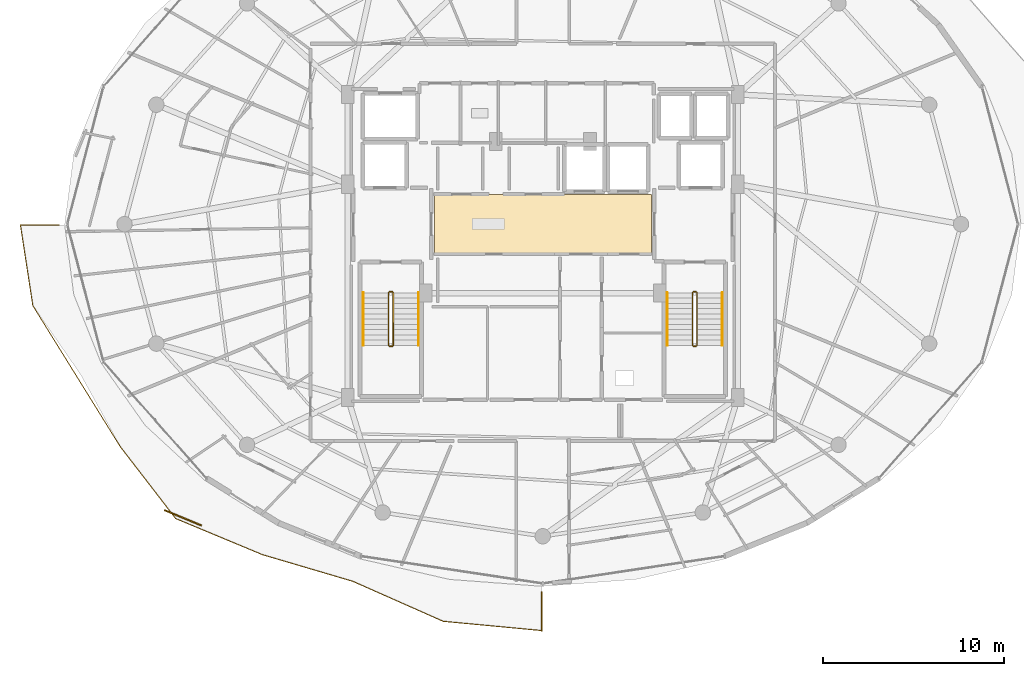
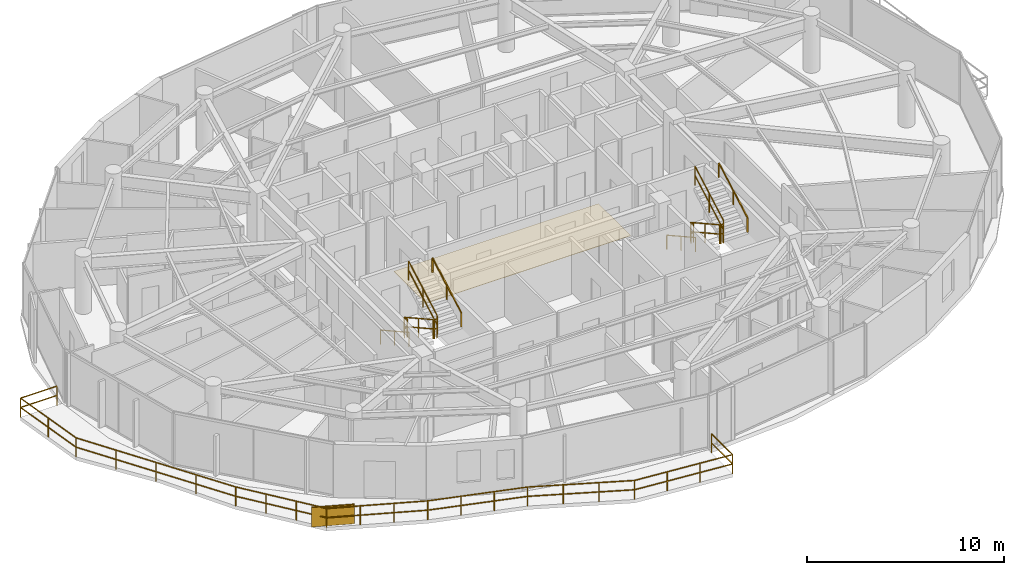
# One storey, part 29 of 31: 14 railings, 1 covering, 1 shading device.
"""IFC4 building model written with IfcOpenShell, lengths in metres."""

from ifc_helpers import new_model, si_unit, direction, frame, origin, origin_2d, place, context, subcontext, project, spatial, polyline, rectangle, outline, extrude, material, layer, layer_set, type_object, element, save


model = new_model("IFC4")

# Units and contexts
model_context = context("Model", 3, precision=1e-05, world=origin(), true_north=direction((0.0, 1.0)))
body_context = subcontext(model_context, "Body", "Model", "MODEL_VIEW")
ifc_project = project(units=[si_unit("LENGTHUNIT", "METRE"), si_unit("AREAUNIT", "SQUARE_METRE"), si_unit("VOLUMEUNIT", "CUBIC_METRE"), si_unit("PLANEANGLEUNIT", "RADIAN"), si_unit("MASSUNIT", "GRAM", prefix="KILO")], contexts=[model_context])

# Site, building, storey
site_placement = place(None, origin())
site = spatial("IfcSite", under=ifc_project, at=site_placement, CompositionType="ELEMENT")
building_placement = place(site_placement, origin())
building = spatial("IfcBuilding", under=site, at=building_placement, Name="Vorneva Point Tower", CompositionType="ELEMENT")
storey_placement = place(building_placement, frame((0.0, 0.0, 248.449951171875)))
storey = spatial("IfcBuildingStorey", under=building, at=storey_placement, Name="L67", CompositionType="ELEMENT", Elevation=248.449951171875)

# Covering
ifc_material_1 = material(Name="Acoustic wool hospitality carpet", Category="textile")
ifc_layer = layer(ifc_material_1, 0.01806640625)
ifc_layer_set = layer_set([ifc_layer], Name="Acoustic wool hospitality carpet")
covering_type = type_object("IfcCoveringType", Name="COV-FLR-CRP", PredefinedType="FLOORING", material=ifc_layer_set)
covering_placement = place(storey_placement, frame((0.0, 0.0, -0.0048828125)))
element("IfcCovering", 1, at=covering_placement, inside=storey, type_object=covering_type, Name="L67 Lift Lobby Floor Finish", PredefinedType="FLOORING", context=body_context, shape_type="SweptSolid", body=[
    extrude(outline(polyline([(32.02001953125, 24.3701171875), (43.97998046875, 24.3701171875), (43.97998046875, 27.6298828125), (32.02001953125, 27.6298828125), (32.02001953125, 24.3701171875)])), origin(), (0.0, 0.0, 1.0), 0.02294921875),
])

# Railings
ifc_material_2 = material(Name="Pale anodised aluminium", Category="aluminium")
railing_type_1 = type_object("IfcRailingType", Name="RL-BAL-1200", PredefinedType="BALUSTRADE", material=ifc_material_2)
railing_1_placement = place(storey_placement, frame((37.949951171875, 3.599609375, 0.0)))
element("IfcRailing", 2, at=railing_1_placement, inside=storey, type_object=railing_type_1, Name="L67 Wave Balcony Balustrade SW.1", PredefinedType="BALUSTRADE", context=body_context, shape_type="SweptSolid", body=[
    extrude(rectangle(XDim=0.048095703125, YDim=0.048095703125, at=origin_2d()), frame((0.0, 0.0, 1.17578125), z_axis=(0.0, 1.0, 0.0), x_axis=(-1.0, 0.0, 0.0)), (0.0, 0.0, 1.0), 2.123291015625),
    extrude(rectangle(XDim=0.048095703125, YDim=0.048095703125, at=origin_2d()), frame((0.0, 0.0, 0.60009765625), z_axis=(0.0, 1.0, 0.0), x_axis=(-1.0, 0.0, 0.0)), (0.0, 0.0, 1.0), 2.123291015625),
    extrude(rectangle(XDim=0.0419921875, YDim=0.0419921875, at=origin_2d()), origin(), (0.0, 0.0, 1.0), 1.15185546875),
    extrude(rectangle(XDim=0.0419921875, YDim=0.0419921875, at=origin_2d()), frame((0.0, 2.123291015625, 0.0)), (0.0, 0.0, 1.0), 1.15185546875),
])
railing_2_placement = place(storey_placement, frame((11.333740234375, 25.949951171875, 0.0)))
element("IfcRailing", 3, at=railing_2_placement, inside=storey, type_object=railing_type_1, Name="L67 Wave Balcony Balustrade SW.2", PredefinedType="BALUSTRADE", context=body_context, shape_type="SweptSolid", body=[
    extrude(rectangle(XDim=0.048095703125, YDim=0.048095703125, at=origin_2d()), frame((0.0, 0.0, 1.17578125), z_axis=(-1.0, 0.0, 0.0), x_axis=(0.0, -1.0, 0.0)), (0.0, 0.0, 1.0), 2.12109375),
    extrude(rectangle(XDim=0.048095703125, YDim=0.048095703125, at=origin_2d()), frame((0.0, 0.0, 0.60009765625), z_axis=(-1.0, 0.0, 0.0), x_axis=(0.0, -1.0, 0.0)), (0.0, 0.0, 1.0), 2.12109375),
    extrude(rectangle(XDim=0.048095703125, YDim=0.048095703125, at=origin_2d()), frame((-2.12109375, 0.0, 1.17578125), z_axis=(0.151758903978, -0.988417540852, 0.0), x_axis=(0.988417540852, 0.151758903978, 0.0)), (0.0, 0.0, 1.0), 4.489990234375),
    extrude(rectangle(XDim=0.048095703125, YDim=0.048095703125, at=origin_2d()), frame((-2.12109375, 0.0, 0.60009765625), z_axis=(0.151758903978, -0.988417540852, 0.0), x_axis=(0.988417540852, 0.151758903978, 0.0)), (0.0, 0.0, 1.0), 4.489990234375),
    extrude(rectangle(XDim=0.048095703125, YDim=0.048095703125, at=origin_2d()), frame((-1.439697265625, -4.43798828125, 1.17578125), z_axis=(0.526954270992, -0.849893638218, 0.0), x_axis=(0.849893638218, 0.526954270992, 0.0)), (0.0, 0.0, 1.0), 9.178466796875),
    extrude(rectangle(XDim=0.048095703125, YDim=0.048095703125, at=origin_2d()), frame((-1.439697265625, -4.43798828125, 0.60009765625), z_axis=(0.526954270992, -0.849893638218, 0.0), x_axis=(0.849893638218, 0.526954270992, 0.0)), (0.0, 0.0, 1.0), 9.178466796875),
    extrude(rectangle(XDim=0.048095703125, YDim=0.048095703125, at=origin_2d()), frame((3.39697265625, -12.23876953125, 1.17578125), z_axis=(0.610723422799, -0.791843987692, 0.0), x_axis=(0.791843987692, 0.610723422799, 0.0)), (0.0, 0.0, 1.0), 4.97265625),
    extrude(rectangle(XDim=0.048095703125, YDim=0.048095703125, at=origin_2d()), frame((3.39697265625, -12.23876953125, 0.60009765625), z_axis=(0.610723422799, -0.791843987692, 0.0), x_axis=(0.791843987692, 0.610723422799, 0.0)), (0.0, 0.0, 1.0), 4.97265625),
    extrude(rectangle(XDim=0.048095703125, YDim=0.048095703125, at=origin_2d()), frame((6.433837890625, -16.17626953125, 1.17578125), z_axis=(0.923176059665, -0.384377370381, 0.0), x_axis=(0.384377370381, 0.923176059665, 0.0)), (0.0, 0.0, 1.0), 5.17138671875),
    extrude(rectangle(XDim=0.048095703125, YDim=0.048095703125, at=origin_2d()), frame((6.433837890625, -16.17626953125, 0.60009765625), z_axis=(0.923176059665, -0.384377370381, 0.0), x_axis=(0.384377370381, 0.923176059665, 0.0)), (0.0, 0.0, 1.0), 5.17138671875),
    extrude(rectangle(XDim=0.048095703125, YDim=0.048095703125, at=origin_2d()), frame((11.2080078125, -18.1640625, 1.17578125), z_axis=(0.959158019057, -0.282870808814, 0.0), x_axis=(0.282870808814, 0.959158019057, 0.0)), (0.0, 0.0, 1.0), 5.196533203125),
    extrude(rectangle(XDim=0.048095703125, YDim=0.048095703125, at=origin_2d()), frame((11.2080078125, -18.1640625, 0.60009765625), z_axis=(0.959158019057, -0.282870808814, 0.0), x_axis=(0.282870808814, 0.959158019057, 0.0)), (0.0, 0.0, 1.0), 5.196533203125),
    extrude(rectangle(XDim=0.048095703125, YDim=0.048095703125, at=origin_2d()), frame((16.1923828125, -19.634033203125, 1.17578125), z_axis=(0.914502833998, -0.40457949356, 0.0), x_axis=(0.40457949356, 0.914502833998, 0.0)), (0.0, 0.0, 1.0), 5.450927734375),
    extrude(rectangle(XDim=0.048095703125, YDim=0.048095703125, at=origin_2d()), frame((16.1923828125, -19.634033203125, 0.60009765625), z_axis=(0.914502833998, -0.40457949356, 0.0), x_axis=(0.40457949356, 0.914502833998, 0.0)), (0.0, 0.0, 1.0), 5.450927734375),
    extrude(rectangle(XDim=0.048095703125, YDim=0.048095703125, at=origin_2d()), frame((21.17724609375, -21.83935546875, 1.17578125), z_axis=(0.995615776672, -0.09353729332, 0.0), x_axis=(0.09353729332, 0.995615776672, 0.0)), (0.0, 0.0, 1.0), 5.462890625),
    extrude(rectangle(XDim=0.048095703125, YDim=0.048095703125, at=origin_2d()), frame((21.17724609375, -21.83935546875, 0.60009765625), z_axis=(0.995615776672, -0.09353729332, 0.0), x_axis=(0.09353729332, 0.995615776672, 0.0)), (0.0, 0.0, 1.0), 5.462890625),
    extrude(rectangle(XDim=0.0419921875, YDim=0.0419921875, at=origin_2d()), origin(), (0.0, 0.0, 1.0), 1.15185546875),
    extrude(rectangle(XDim=0.0419921875, YDim=0.0419921875, at=origin_2d()), frame((-2.12109375, 0.0, 0.0)), (0.0, 0.0, 1.0), 1.15185546875),
    extrude(rectangle(XDim=0.0419921875, YDim=0.0419921875, at=origin_2d()), frame((-1.7802734375, -2.218994140625, 0.0)), (0.0, 0.0, 1.0), 1.15185546875),
    extrude(rectangle(XDim=0.0419921875, YDim=0.0419921875, at=origin_2d()), frame((-1.439697265625, -4.43798828125, 0.0)), (0.0, 0.0, 1.0), 1.15185546875),
    extrude(rectangle(XDim=0.0419921875, YDim=0.0419921875, at=origin_2d()), frame((-0.23046875, -6.38818359375, 0.0)), (0.0, 0.0, 1.0), 1.15185546875),
    extrude(rectangle(XDim=0.0419921875, YDim=0.0419921875, at=origin_2d()), frame((0.978515625, -8.33837890625, 0.0)), (0.0, 0.0, 1.0), 1.15185546875),
    extrude(rectangle(XDim=0.0419921875, YDim=0.0419921875, at=origin_2d()), frame((2.187744140625, -10.28857421875, 0.0)), (0.0, 0.0, 1.0), 1.15185546875),
    extrude(rectangle(XDim=0.0419921875, YDim=0.0419921875, at=origin_2d()), frame((3.39697265625, -12.23876953125, 0.0)), (0.0, 0.0, 1.0), 1.15185546875),
    extrude(rectangle(XDim=0.0419921875, YDim=0.0419921875, at=origin_2d()), frame((4.4091796875, -13.55126953125, 0.0)), (0.0, 0.0, 1.0), 1.15185546875),
    extrude(rectangle(XDim=0.0419921875, YDim=0.0419921875, at=origin_2d()), frame((5.421630859375, -14.86376953125, 0.0)), (0.0, 0.0, 1.0), 1.15185546875),
    extrude(rectangle(XDim=0.0419921875, YDim=0.0419921875, at=origin_2d()), frame((6.433837890625, -16.17626953125, 0.0)), (0.0, 0.0, 1.0), 1.15185546875),
    extrude(rectangle(XDim=0.0419921875, YDim=0.0419921875, at=origin_2d()), frame((8.025146484375, -16.8388671875, 0.0)), (0.0, 0.0, 1.0), 1.15185546875),
    extrude(rectangle(XDim=0.0419921875, YDim=0.0419921875, at=origin_2d()), frame((9.61669921875, -17.50146484375, 0.0)), (0.0, 0.0, 1.0), 1.15185546875),
    extrude(rectangle(XDim=0.0419921875, YDim=0.0419921875, at=origin_2d()), frame((11.2080078125, -18.1640625, 0.0)), (0.0, 0.0, 1.0), 1.15185546875),
    extrude(rectangle(XDim=0.0419921875, YDim=0.0419921875, at=origin_2d()), frame((12.869384765625, -18.654052734375, 0.0)), (0.0, 0.0, 1.0), 1.15185546875),
    extrude(rectangle(XDim=0.0419921875, YDim=0.0419921875, at=origin_2d()), frame((14.531005859375, -19.14404296875, 0.0)), (0.0, 0.0, 1.0), 1.15185546875),
    extrude(rectangle(XDim=0.0419921875, YDim=0.0419921875, at=origin_2d()), frame((16.1923828125, -19.634033203125, 0.0)), (0.0, 0.0, 1.0), 1.15185546875),
    extrude(rectangle(XDim=0.0419921875, YDim=0.0419921875, at=origin_2d()), frame((17.85400390625, -20.369140625, 0.0)), (0.0, 0.0, 1.0), 1.15185546875),
    extrude(rectangle(XDim=0.0419921875, YDim=0.0419921875, at=origin_2d()), frame((19.515625, -21.104248046875, 0.0)), (0.0, 0.0, 1.0), 1.15185546875),
    extrude(rectangle(XDim=0.0419921875, YDim=0.0419921875, at=origin_2d()), frame((21.17724609375, -21.83935546875, 0.0)), (0.0, 0.0, 1.0), 1.15185546875),
    extrude(rectangle(XDim=0.0419921875, YDim=0.0419921875, at=origin_2d()), frame((22.990234375, -22.009765625, 0.0)), (0.0, 0.0, 1.0), 1.15185546875),
    extrude(rectangle(XDim=0.0419921875, YDim=0.0419921875, at=origin_2d()), frame((24.80322265625, -22.179931640625, 0.0)), (0.0, 0.0, 1.0), 1.15185546875),
    extrude(rectangle(XDim=0.0419921875, YDim=0.0419921875, at=origin_2d()), frame((26.6162109375, -22.350341796875, 0.0)), (0.0, 0.0, 1.0), 1.15185546875),
])
ifc_material_3 = material(Name="Brushed stainless steel S304", Category="steel")
railing_type_2 = type_object("IfcRailingType", Name="RL-HND-920", PredefinedType="HANDRAIL", material=ifc_material_3)
railing_3_placement = place(storey_placement, frame((28.10009765625, 22.219970703125, 0.161376953125)))
element("IfcRailing", 4, at=railing_3_placement, inside=storey, type_object=railing_type_2, Name="L67 ST1 stair handrail 1", PredefinedType="HANDRAIL", context=body_context, shape_type="SweptSolid", body=[
    extrude(rectangle(XDim=0.048095703125, YDim=0.048095703125, at=origin_2d()), frame((0.0, 0.0, 0.8759765625), z_axis=(0.0, -0.873810046276, 0.486267419253), x_axis=(1.0, 0.0, 0.0)), (0.0, 0.0, 1.0), 3.318603515625),
    extrude(rectangle(XDim=0.0419921875, YDim=0.0419921875, at=origin_2d()), origin(), (0.0, 0.0, 1.0), 0.851806640625),
    extrude(rectangle(XDim=0.0419921875, YDim=0.0419921875, at=origin_2d()), frame((0.0, -1.449951171875, 0.806884765625)), (0.0, 0.0, 1.0), 0.851806640625),
    extrude(rectangle(XDim=0.0419921875, YDim=0.0419921875, at=origin_2d()), frame((0.0, -2.89990234375, 1.61376953125)), (0.0, 0.0, 1.0), 0.851806640625),
])
railing_4_placement = place(storey_placement, frame((31.14990234375, 19.320068359375, 1.9365234375)))
element("IfcRailing", 5, at=railing_4_placement, inside=storey, type_object=railing_type_2, Name="L67 ST1 stair handrail 2", PredefinedType="HANDRAIL", context=body_context, shape_type="SweptSolid", body=[
    extrude(rectangle(XDim=0.048095703125, YDim=0.048095703125, at=origin_2d()), frame((0.0, 0.0, 0.8759765625), z_axis=(0.0, 0.873841303929, 0.486211245805), x_axis=(-1.0, 0.0, 0.0)), (0.0, 0.0, 1.0), 3.318603515625),
    extrude(rectangle(XDim=0.0419921875, YDim=0.0419921875, at=origin_2d()), origin(), (0.0, 0.0, 1.0), 0.851806640625),
    extrude(rectangle(XDim=0.0419921875, YDim=0.0419921875, at=origin_2d()), frame((0.0, 1.449951171875, 0.806640625)), (0.0, 0.0, 1.0), 0.851806640625),
    extrude(rectangle(XDim=0.0419921875, YDim=0.0419921875, at=origin_2d()), frame((0.0, 2.89990234375, 1.613525390625)), (0.0, 0.0, 1.0), 0.851806640625),
])
railing_5_placement = place(storey_placement, frame((44.85009765625, 22.219970703125, 0.161376953125)))
element("IfcRailing", 6, at=railing_5_placement, inside=storey, type_object=railing_type_2, Name="L67 ST2 stair handrail 1", PredefinedType="HANDRAIL", context=body_context, shape_type="SweptSolid", body=[
    extrude(rectangle(XDim=0.048095703125, YDim=0.048095703125, at=origin_2d()), frame((0.0, 0.0, 0.8759765625), z_axis=(0.0, -0.873810046276, 0.486267419253), x_axis=(1.0, 0.0, 0.0)), (0.0, 0.0, 1.0), 3.318603515625),
    extrude(rectangle(XDim=0.0419921875, YDim=0.0419921875, at=origin_2d()), origin(), (0.0, 0.0, 1.0), 0.851806640625),
    extrude(rectangle(XDim=0.0419921875, YDim=0.0419921875, at=origin_2d()), frame((0.0, -1.449951171875, 0.806884765625)), (0.0, 0.0, 1.0), 0.851806640625),
    extrude(rectangle(XDim=0.0419921875, YDim=0.0419921875, at=origin_2d()), frame((0.0, -2.89990234375, 1.61376953125)), (0.0, 0.0, 1.0), 0.851806640625),
])
railing_6_placement = place(storey_placement, frame((47.89990234375, 19.320068359375, 1.9365234375)))
element("IfcRailing", 7, at=railing_6_placement, inside=storey, type_object=railing_type_2, Name="L67 ST2 stair handrail 2", PredefinedType="HANDRAIL", context=body_context, shape_type="SweptSolid", body=[
    extrude(rectangle(XDim=0.048095703125, YDim=0.048095703125, at=origin_2d()), frame((0.0, 0.0, 0.8759765625), z_axis=(0.0, 0.873841303929, 0.486211245805), x_axis=(-1.0, 0.0, 0.0)), (0.0, 0.0, 1.0), 3.318603515625),
    extrude(rectangle(XDim=0.0419921875, YDim=0.0419921875, at=origin_2d()), origin(), (0.0, 0.0, 1.0), 0.851806640625),
    extrude(rectangle(XDim=0.0419921875, YDim=0.0419921875, at=origin_2d()), frame((0.0, 1.449951171875, 0.806640625)), (0.0, 0.0, 1.0), 0.851806640625),
    extrude(rectangle(XDim=0.0419921875, YDim=0.0419921875, at=origin_2d()), frame((0.0, 2.89990234375, 1.613525390625)), (0.0, 0.0, 1.0), 0.851806640625),
])
railing_type_3 = type_object("IfcRailingType", Name="RL-STG-1100", PredefinedType="GUARDRAIL", material=ifc_material_3)
railing_7_placement = place(storey_placement, frame((29.5, 22.219970703125, 0.161376953125)))
element("IfcRailing", 8, at=railing_7_placement, inside=storey, type_object=railing_type_3, Name="L67 ST1 stair guard 1", PredefinedType="GUARDRAIL", context=body_context, shape_type="SweptSolid", body=[
    extrude(rectangle(XDim=0.048095703125, YDim=0.048095703125, at=origin_2d()), frame((0.0, 0.0, 1.17578125), z_axis=(0.0, -0.873810046276, 0.486267419253), x_axis=(1.0, 0.0, 0.0)), (0.0, 0.0, 1.0), 3.318603515625),
    extrude(rectangle(XDim=0.048095703125, YDim=0.048095703125, at=origin_2d()), frame((0.0, 0.0, 0.60009765625), z_axis=(0.0, -0.873810046276, 0.486267419253), x_axis=(1.0, 0.0, 0.0)), (0.0, 0.0, 1.0), 3.318603515625),
    extrude(rectangle(XDim=0.0419921875, YDim=0.0419921875, at=origin_2d()), origin(), (0.0, 0.0, 1.0), 1.15185546875),
    extrude(rectangle(XDim=0.0419921875, YDim=0.0419921875, at=origin_2d()), frame((0.0, -1.449951171875, 0.806884765625)), (0.0, 0.0, 1.0), 1.15185546875),
    extrude(rectangle(XDim=0.0419921875, YDim=0.0419921875, at=origin_2d()), frame((0.0, -2.89990234375, 1.61376953125)), (0.0, 0.0, 1.0), 1.15185546875),
])
railing_8_placement = place(storey_placement, frame((29.550048828125, 19.27001953125, 1.775146484375)))
element("IfcRailing", 9, at=railing_8_placement, inside=storey, type_object=railing_type_3, Name="L67 ST1 stair guard 2", PredefinedType="GUARDRAIL", context=body_context, shape_type="SweptSolid", body=[
    extrude(rectangle(XDim=0.048095703125, YDim=0.048095703125, at=origin_2d()), frame((0.0, 0.0, 1.17578125), z_axis=(1.0, 0.0, 0.0), x_axis=(0.0, 1.0, 0.0)), (0.0, 0.0, 1.0), 0.14990234375),
    extrude(rectangle(XDim=0.048095703125, YDim=0.048095703125, at=origin_2d()), frame((0.0, 0.0, 0.60009765625), z_axis=(1.0, 0.0, 0.0), x_axis=(0.0, 1.0, 0.0)), (0.0, 0.0, 1.0), 0.14990234375),
    extrude(rectangle(XDim=0.0419921875, YDim=0.0419921875, at=origin_2d()), origin(), (0.0, 0.0, 1.0), 1.15185546875),
    extrude(rectangle(XDim=0.0419921875, YDim=0.0419921875, at=origin_2d()), frame((0.14990234375, 0.0, 0.0)), (0.0, 0.0, 1.0), 1.15185546875),
])
railing_9_placement = place(storey_placement, frame((29.75, 19.320068359375, 1.9365234375)))
element("IfcRailing", 10, at=railing_9_placement, inside=storey, type_object=railing_type_3, Name="L67 ST1 stair guard 3", PredefinedType="GUARDRAIL", context=body_context, shape_type="SweptSolid", body=[
    extrude(rectangle(XDim=0.048095703125, YDim=0.048095703125, at=origin_2d()), frame((0.0, 0.0, 1.17578125), z_axis=(0.0, 0.873841303929, 0.486211245805), x_axis=(-1.0, 0.0, 0.0)), (0.0, 0.0, 1.0), 3.318603515625),
    extrude(rectangle(XDim=0.048095703125, YDim=0.048095703125, at=origin_2d()), frame((0.0, 0.0, 0.60009765625), z_axis=(0.0, 0.873841303929, 0.486211245805), x_axis=(-1.0, 0.0, 0.0)), (0.0, 0.0, 1.0), 3.318603515625),
    extrude(rectangle(XDim=0.0419921875, YDim=0.0419921875, at=origin_2d()), origin(), (0.0, 0.0, 1.0), 1.15185546875),
    extrude(rectangle(XDim=0.0419921875, YDim=0.0419921875, at=origin_2d()), frame((0.0, 1.449951171875, 0.806640625)), (0.0, 0.0, 1.0), 1.15185546875),
    extrude(rectangle(XDim=0.0419921875, YDim=0.0419921875, at=origin_2d()), frame((0.0, 2.89990234375, 1.613525390625)), (0.0, 0.0, 1.0), 1.15185546875),
])
railing_10_placement = place(storey_placement, frame((29.550048828125, 22.27001953125, 0.0)))
element("IfcRailing", 11, at=railing_10_placement, inside=storey, type_object=railing_type_3, Name="L67 ST1 stair guard 4", PredefinedType="GUARDRAIL", context=body_context, shape_type="SweptSolid", body=[
    extrude(rectangle(XDim=0.048095703125, YDim=0.048095703125, at=origin_2d()), frame((0.0, 0.0, 1.17578125), z_axis=(1.0, 0.0, 0.0), x_axis=(0.0, 1.0, 0.0)), (0.0, 0.0, 1.0), 0.14990234375),
    extrude(rectangle(XDim=0.048095703125, YDim=0.048095703125, at=origin_2d()), frame((0.0, 0.0, 0.60009765625), z_axis=(1.0, 0.0, 0.0), x_axis=(0.0, 1.0, 0.0)), (0.0, 0.0, 1.0), 0.14990234375),
    extrude(rectangle(XDim=0.0419921875, YDim=0.0419921875, at=origin_2d()), origin(), (0.0, 0.0, 1.0), 1.15185546875),
    extrude(rectangle(XDim=0.0419921875, YDim=0.0419921875, at=origin_2d()), frame((0.14990234375, 0.0, 0.0)), (0.0, 0.0, 1.0), 1.15185546875),
])
railing_11_placement = place(storey_placement, frame((46.25, 22.219970703125, 0.161376953125)))
element("IfcRailing", 12, at=railing_11_placement, inside=storey, type_object=railing_type_3, Name="L67 ST2 stair guard 1", PredefinedType="GUARDRAIL", context=body_context, shape_type="SweptSolid", body=[
    extrude(rectangle(XDim=0.048095703125, YDim=0.048095703125, at=origin_2d()), frame((0.0, 0.0, 1.17578125), z_axis=(0.0, -0.873810046276, 0.486267419253), x_axis=(1.0, 0.0, 0.0)), (0.0, 0.0, 1.0), 3.318603515625),
    extrude(rectangle(XDim=0.048095703125, YDim=0.048095703125, at=origin_2d()), frame((0.0, 0.0, 0.60009765625), z_axis=(0.0, -0.873810046276, 0.486267419253), x_axis=(1.0, 0.0, 0.0)), (0.0, 0.0, 1.0), 3.318603515625),
    extrude(rectangle(XDim=0.0419921875, YDim=0.0419921875, at=origin_2d()), origin(), (0.0, 0.0, 1.0), 1.15185546875),
    extrude(rectangle(XDim=0.0419921875, YDim=0.0419921875, at=origin_2d()), frame((0.0, -1.449951171875, 0.806884765625)), (0.0, 0.0, 1.0), 1.15185546875),
    extrude(rectangle(XDim=0.0419921875, YDim=0.0419921875, at=origin_2d()), frame((0.0, -2.89990234375, 1.61376953125)), (0.0, 0.0, 1.0), 1.15185546875),
])
railing_12_placement = place(storey_placement, frame((46.300048828125, 19.27001953125, 1.775146484375)))
element("IfcRailing", 13, at=railing_12_placement, inside=storey, type_object=railing_type_3, Name="L67 ST2 stair guard 2", PredefinedType="GUARDRAIL", context=body_context, shape_type="SweptSolid", body=[
    extrude(rectangle(XDim=0.048095703125, YDim=0.048095703125, at=origin_2d()), frame((0.0, 0.0, 1.17578125), z_axis=(1.0, 0.0, 0.0), x_axis=(0.0, 1.0, 0.0)), (0.0, 0.0, 1.0), 0.14990234375),
    extrude(rectangle(XDim=0.048095703125, YDim=0.048095703125, at=origin_2d()), frame((0.0, 0.0, 0.60009765625), z_axis=(1.0, 0.0, 0.0), x_axis=(0.0, 1.0, 0.0)), (0.0, 0.0, 1.0), 0.14990234375),
    extrude(rectangle(XDim=0.0419921875, YDim=0.0419921875, at=origin_2d()), origin(), (0.0, 0.0, 1.0), 1.15185546875),
    extrude(rectangle(XDim=0.0419921875, YDim=0.0419921875, at=origin_2d()), frame((0.14990234375, 0.0, 0.0)), (0.0, 0.0, 1.0), 1.15185546875),
])
railing_13_placement = place(storey_placement, frame((46.5, 19.320068359375, 1.9365234375)))
element("IfcRailing", 14, at=railing_13_placement, inside=storey, type_object=railing_type_3, Name="L67 ST2 stair guard 3", PredefinedType="GUARDRAIL", context=body_context, shape_type="SweptSolid", body=[
    extrude(rectangle(XDim=0.048095703125, YDim=0.048095703125, at=origin_2d()), frame((0.0, 0.0, 1.17578125), z_axis=(0.0, 0.873841303929, 0.486211245805), x_axis=(-1.0, 0.0, 0.0)), (0.0, 0.0, 1.0), 3.318603515625),
    extrude(rectangle(XDim=0.048095703125, YDim=0.048095703125, at=origin_2d()), frame((0.0, 0.0, 0.60009765625), z_axis=(0.0, 0.873841303929, 0.486211245805), x_axis=(-1.0, 0.0, 0.0)), (0.0, 0.0, 1.0), 3.318603515625),
    extrude(rectangle(XDim=0.0419921875, YDim=0.0419921875, at=origin_2d()), origin(), (0.0, 0.0, 1.0), 1.15185546875),
    extrude(rectangle(XDim=0.0419921875, YDim=0.0419921875, at=origin_2d()), frame((0.0, 1.449951171875, 0.806640625)), (0.0, 0.0, 1.0), 1.15185546875),
    extrude(rectangle(XDim=0.0419921875, YDim=0.0419921875, at=origin_2d()), frame((0.0, 2.89990234375, 1.613525390625)), (0.0, 0.0, 1.0), 1.15185546875),
])
railing_14_placement = place(storey_placement, frame((46.300048828125, 22.27001953125, 0.0)))
element("IfcRailing", 15, at=railing_14_placement, inside=storey, type_object=railing_type_3, Name="L67 ST2 stair guard 4", PredefinedType="GUARDRAIL", context=body_context, shape_type="SweptSolid", body=[
    extrude(rectangle(XDim=0.048095703125, YDim=0.048095703125, at=origin_2d()), frame((0.0, 0.0, 1.17578125), z_axis=(1.0, 0.0, 0.0), x_axis=(0.0, 1.0, 0.0)), (0.0, 0.0, 1.0), 0.14990234375),
    extrude(rectangle(XDim=0.048095703125, YDim=0.048095703125, at=origin_2d()), frame((0.0, 0.0, 0.60009765625), z_axis=(1.0, 0.0, 0.0), x_axis=(0.0, 1.0, 0.0)), (0.0, 0.0, 1.0), 0.14990234375),
    extrude(rectangle(XDim=0.0419921875, YDim=0.0419921875, at=origin_2d()), origin(), (0.0, 0.0, 1.0), 1.15185546875),
    extrude(rectangle(XDim=0.0419921875, YDim=0.0419921875, at=origin_2d()), frame((0.14990234375, 0.0, 0.0)), (0.0, 0.0, 1.0), 1.15185546875),
])

# Shading device
shading_device_type = type_object("IfcShadingDeviceType", Name="SHD-JAL-1200", PredefinedType="JALOUSIE", material=ifc_material_2)
shading_device_placement = place(storey_placement, frame((18.17236328125, 9.815185546875, -0.02001953125), z_axis=(0.0, 0.0, 1.0), x_axis=(0.923169968739, -0.3843919989, 0.0)))
element("IfcShadingDevice", 16, at=shading_device_placement, inside=storey, type_object=shading_device_type, Name="L67 Balcony Vertical-Greenery Planter Screen SW.2", PredefinedType="JALOUSIE", context=body_context, shape_type="SweptSolid", body=[
    extrude(rectangle(XDim=2.199951171875, YDim=0.080078125, at=origin_2d()), origin(), (0.0, 0.0, 1.0), 1.199951171875),
])

save(model, "model.ifc")
